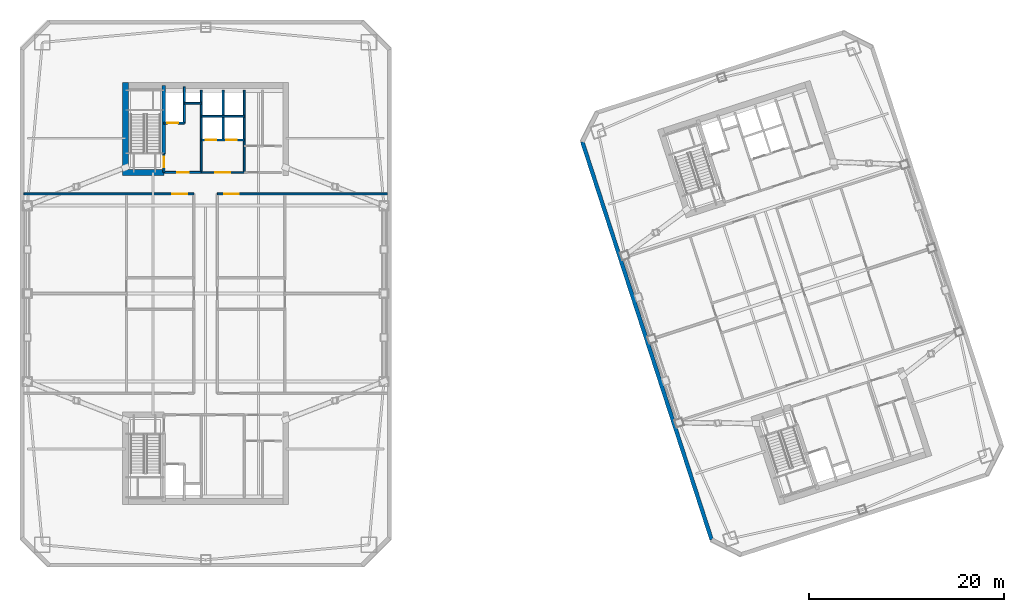
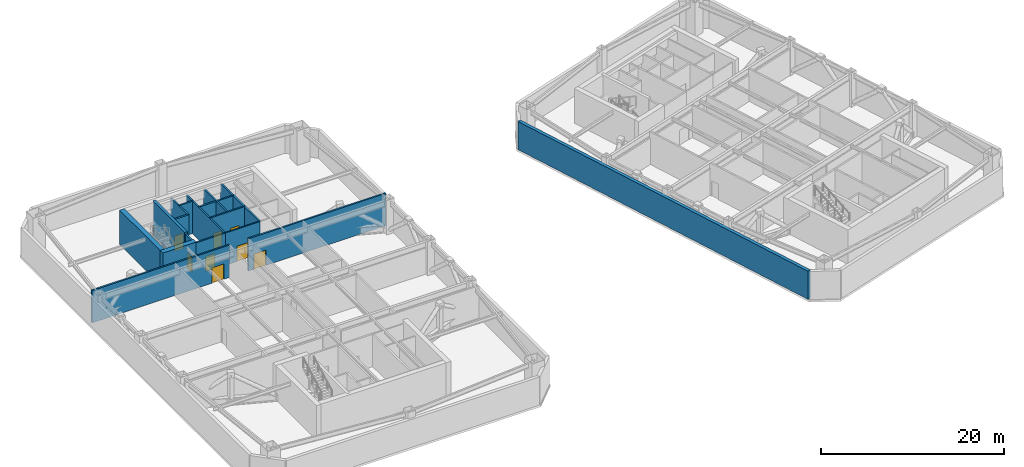
# One storey, part 8 of 14: 17 walls, 8 doors, 8 openings.
"""IFC4 building model written with IfcOpenShell, lengths in metres."""

from ifc_helpers import new_model, si_unit, direction, frame, frame_2d, origin, place, context, subcontext, project, spatial, rectangle, extrude, material, layer, layer_set, type_object, element, fill, save


model = new_model("IFC4")

# Units and contexts
model_context = context("Model", 3, precision=1e-05, world=origin(), true_north=direction((0.0, 1.0)))
body_context = subcontext(model_context, "Body", "Model", "MODEL_VIEW")
ifc_project = project(units=[si_unit("LENGTHUNIT", "METRE"), si_unit("AREAUNIT", "SQUARE_METRE"), si_unit("VOLUMEUNIT", "CUBIC_METRE"), si_unit("PLANEANGLEUNIT", "RADIAN"), si_unit("MASSUNIT", "GRAM", prefix="KILO")], contexts=[model_context])

# Site, building, storey
site_placement = place(None, origin())
site = spatial("IfcSite", under=ifc_project, at=site_placement, CompositionType="ELEMENT")
building_placement = place(site_placement, origin())
building = spatial("IfcBuilding", under=site, at=building_placement, Name="Qiaolan Cultural Towers", CompositionType="ELEMENT")
storey_placement = place(building_placement, frame((0.0, 0.0, 138.0)))
storey = spatial("IfcBuildingStorey", under=building, at=storey_placement, Name="L36", CompositionType="ELEMENT", Elevation=138.0)

# Walls
ifc_material_1 = material(Name="Concrete C50", Category="concrete")
ifc_layer_1 = layer(ifc_material_1, 0.35009765625)
ifc_layer_set_1 = layer_set([ifc_layer_1], Name="Concrete C50")
wall_type_1 = type_object("IfcWallType", Name="WL-CORE-350", PredefinedType="SHEAR", material=ifc_layer_set_1)
wall_1_placement = place(storey_placement, frame((25.719970703125, 48.300048828125, 0.0), z_axis=(0.0, 0.0, 1.0), x_axis=(0.0, 1.0, 0.0)))
element("IfcWall", 1, at=wall_1_placement, inside=storey, type_object=wall_type_1, Name="L36 T1-CN Stair Core Dividing Web", PredefinedType="SHEAR", context=body_context, shape_type="SweptSolid", body=[
    extrude(rectangle(XDim=6.97998046875, YDim=0.35009765625, at=frame_2d((3.489990234375, 0.0))), origin(), (0.0, 0.0, 1.0), 4.60009765625),
])
ifc_material_2 = material(Name="Concrete C55", Category="concrete")
ifc_layer_2 = layer(ifc_material_2, 0.60009765625)
ifc_layer_set_2 = layer_set([ifc_layer_2], Name="Concrete C55")
wall_type_2 = type_object("IfcWallType", Name="WL-CORE-600", PredefinedType="SHEAR", material=ifc_layer_set_2)
wall_2_placement = place(storey_placement, frame((21.800048828125, 46.10009765625, 0.0), z_axis=(0.0, 0.0, 1.0), x_axis=(0.0, 1.0, 0.0)))
element("IfcWall", 2, at=wall_2_placement, inside=storey, type_object=wall_type_2, Name="L36 T1-CN West Core Shear Wall", PredefinedType="SHEAR", context=body_context, shape_type="SweptSolid", body=[
    extrude(rectangle(XDim=9.47998046875, YDim=0.60009765625, at=frame_2d((4.739990234375, 0.0))), origin(), (0.0, 0.0, 1.0), 4.60009765625),
])
wall_3_placement = place(storey_placement, frame((21.5, 46.39990234375, 0.0), z_axis=(0.0, 0.0, 1.0), x_axis=(1.0, 0.0, 0.0)))
element("IfcWall", 3, at=wall_3_placement, inside=storey, type_object=wall_type_2, Name="L36 T1-CN Stair Front Shear Wall", PredefinedType="SHEAR", context=body_context, shape_type="SweptSolid", body=[
    extrude(rectangle(XDim=4.219970703125, YDim=0.60009765625, at=frame_2d((2.10986328125, 0.0))), origin(), (0.0, 0.0, 1.0), 4.60009765625),
])
ifc_material_3 = material(Name="Precast Concrete C50 Honed Stone Pier", Category="masonry")
ifc_layer_3 = layer(ifc_material_3, 0.39990234375)
ifc_layer_set_3 = layer_set([ifc_layer_3], Name="Precast Concrete C50 Honed Stone Pier")
wall_type_3 = type_object("IfcWallType", Name="WL-EXT-PIER-400", PredefinedType="SOLIDWALL", material=ifc_layer_set_3)
wall_4_placement = place(storey_placement, frame((81.7763671875, 8.82666015625, 0.0), z_axis=(0.0, 0.0, 1.0), x_axis=(-0.309014228706, 0.951057414911, 0.0)))
element("IfcWall", 4, at=wall_4_placement, inside=storey, type_object=wall_type_3, Name="L36 East Tower Precast Pier Facade Wall F1", PredefinedType="SOLIDWALL", context=body_context, shape_type="SweptSolid", body=[
    extrude(rectangle(XDim=42.800048828125, YDim=0.39990234375, at=frame_2d((21.39990234375, 0.0))), origin(), (0.0, 0.0, 1.0), 3.760009765625),
])

# Wall, opening, door
ifc_material_4 = material(Name="Concrete C35 Fire Wall", Category="concrete")
ifc_layer_4 = layer(ifc_material_4, 0.199951171875)
ifc_layer_set_4 = layer_set([ifc_layer_4], Name="Concrete C35 Fire Wall")
wall_type_4 = type_object("IfcWallType", Name="WL-FIRE-200", PredefinedType="PARTITIONING", material=ifc_layer_set_4)
wall_5_placement = place(storey_placement, frame((25.719970703125, 46.39990234375, 0.0), z_axis=(0.0, 0.0, 1.0), x_axis=(0.0, 1.0, 0.0)))
wall_5 = element("IfcWall", 5, at=wall_5_placement, inside=storey, type_object=wall_type_4, Name="L36 T1-CN Smokeproof Stair Entry Wall", PredefinedType="PARTITIONING", context=body_context, shape_type="SweptSolid", body=[
    extrude(rectangle(XDim=1.900146484375, YDim=0.199951171875, at=frame_2d((0.9501953125, 0.0))), origin(), (0.0, 0.0, 1.0), 4.324951171875),
])
opening_1_placement = place(wall_5_placement, frame((0.52001953125, 0.0, 0.0)))
opening_1 = element("IfcOpeningElement", 6, at=opening_1_placement, cuts=wall_5, Name="Opening FD-04", PredefinedType="OPENING", context=body_context, shape_type="SweptSolid", body=[
    extrude(rectangle(XDim=1.10009765625, YDim=2.050048828125, at=frame_2d((0.550048828125, 1.02490234375))), frame((0.0, 0.10986328125, 0.0), z_axis=(0.0, -1.0, 0.0), x_axis=(1.0, 0.0, 0.0)), (0.0, 0.0, 1.0), 0.219970703125),
])
ifc_material_5 = material(Name="Galvanized Steel Command Fire Door", Category="steel")
door_type_1 = type_object("IfcDoorType", Name="DR-FD90-1100", OperationType="NOTDEFINED", PredefinedType="DOOR", material=ifc_material_5)
door_1_placement = place(opening_1_placement, origin())
door_1 = element("IfcDoor", 7, at=door_1_placement, inside=storey, type_object=door_type_1, Name="L36 ST-W2 Smokeproof Stair Fire Door", OperationType="SINGLE_SWING_LEFT", OverallHeight=2.050048828125, OverallWidth=1.10009765625, PredefinedType="DOOR", context=body_context, shape_type="SweptSolid", body=[
    extrude(rectangle(XDim=1.10009765625, YDim=2.050048828125, at=frame_2d((0.550048828125, 1.02490234375))), frame((0.0, 0.02490234375, 0.0), z_axis=(0.0, -1.0, 0.0), x_axis=(1.0, 0.0, 0.0)), (0.0, 0.0, 1.0), 0.050048828125),
])
fill(opening_1, door_1)

# Wall
wall_6_placement = place(storey_placement, frame((29.550048828125, 46.39990234375, 0.0), z_axis=(0.0, 0.0, 1.0), x_axis=(0.0, 1.0, 0.0)))
element("IfcWall", 8, at=wall_6_placement, inside=storey, type_object=wall_type_4, Name="L36 T1-CN Firefighting Zone Wall", PredefinedType="PARTITIONING", context=body_context, shape_type="SweptSolid", body=[
    extrude(rectangle(XDim=8.43017578125, YDim=0.199951171875, at=frame_2d((4.215087890625, 0.0))), origin(), (0.0, 0.0, 1.0), 4.324951171875),
])

# Wall, opening, door
wall_7_placement = place(storey_placement, frame((25.719970703125, 46.39990234375, 0.0), z_axis=(0.0, 0.0, 1.0), x_axis=(1.0, 0.0, 0.0)))
wall_7 = element("IfcWall", 9, at=wall_7_placement, inside=storey, type_object=wall_type_4, Name="L36 T1-CN Firefighting Lobby Front Wall", PredefinedType="PARTITIONING", context=body_context, shape_type="SweptSolid", body=[
    extrude(rectangle(XDim=3.830078125, YDim=0.199951171875, at=frame_2d((1.9150390625, 0.0))), origin(), (0.0, 0.0, 1.0), 4.324951171875),
])
opening_2_placement = place(wall_7_placement, frame((1.35009765625, 0.0, 0.0)))
opening_2 = element("IfcOpeningElement", 10, at=opening_2_placement, cuts=wall_7, Name="Opening FD-03", PredefinedType="OPENING", context=body_context, shape_type="SweptSolid", body=[
    extrude(rectangle(XDim=1.199951171875, YDim=2.050048828125, at=frame_2d((0.60009765625, 1.02490234375))), frame((0.0, 0.10986328125, 0.0), z_axis=(0.0, -1.0, 0.0), x_axis=(1.0, 0.0, 0.0)), (0.0, 0.0, 1.0), 0.219970703125),
])
ifc_material_6 = material(Name="Galvanized Steel Smokeproof Lobby Fire Door", Category="steel")
door_type_2 = type_object("IfcDoorType", Name="DR-FD90-1200", OperationType="NOTDEFINED", PredefinedType="DOOR", material=ifc_material_6)
door_2_placement = place(opening_2_placement, origin())
door_2 = element("IfcDoor", 11, at=door_2_placement, inside=storey, type_object=door_type_2, Name="L36 FFL-W2 Firefighting Lobby Fire Door", OperationType="SINGLE_SWING_LEFT", OverallHeight=2.050048828125, OverallWidth=1.199951171875, PredefinedType="DOOR", context=body_context, shape_type="SweptSolid", body=[
    extrude(rectangle(XDim=1.199951171875, YDim=2.050048828125, at=frame_2d((0.60009765625, 1.02490234375))), frame((0.0, 0.02490234375, 0.0), z_axis=(0.0, -1.0, 0.0), x_axis=(1.0, 0.0, 0.0)), (0.0, 0.0, 1.0), 0.050048828125),
])
fill(opening_2, door_2)

wall_8_placement = place(storey_placement, frame((25.719970703125, 51.449951171875, 0.0), z_axis=(0.0, 0.0, 1.0), x_axis=(1.0, 0.0, 0.0)))
wall_8 = element("IfcWall", 12, at=wall_8_placement, inside=storey, type_object=wall_type_4, Name="L36 T1-CN Firefighting Shaft Front Wall", PredefinedType="PARTITIONING", context=body_context, shape_type="SweptSolid", body=[
    extrude(rectangle(XDim=2.10009765625, YDim=0.199951171875, at=frame_2d((1.050048828125, 0.0))), origin(), (0.0, 0.0, 1.0), 4.324951171875),
])
opening_3_placement = place(wall_8_placement, frame((0.35009765625, 0.0, 0.0)))
opening_3 = element("IfcOpeningElement", 13, at=opening_3_placement, cuts=wall_8, Name="Opening LD-01", PredefinedType="OPENING", context=body_context, shape_type="SweptSolid", body=[
    extrude(rectangle(XDim=1.10009765625, YDim=2.050048828125, at=frame_2d((0.550048828125, 1.02490234375))), frame((0.0, 0.10986328125, 0.0), z_axis=(0.0, -1.0, 0.0), x_axis=(1.0, 0.0, 0.0)), (0.0, 0.0, 1.0), 0.219970703125),
])
ifc_material_7 = material(Name="Brushed Stainless Steel S30408 Centre-Parting Lift Landing Door", Category="steel")
door_type_3 = type_object("IfcDoorType", Name="DR-LIFT-1100", OperationType="NOTDEFINED", PredefinedType="DOOR", material=ifc_material_7)
door_3_placement = place(opening_3_placement, origin())
door_3 = element("IfcDoor", 14, at=door_3_placement, inside=storey, type_object=door_type_3, Name="L36 FFL-W2 Firefighting Lift Landing Door", OperationType="DOUBLE_DOOR_SLIDING", OverallHeight=2.050048828125, OverallWidth=1.10009765625, PredefinedType="DOOR", context=body_context, shape_type="SweptSolid", body=[
    extrude(rectangle(XDim=1.10009765625, YDim=2.050048828125, at=frame_2d((0.550048828125, 1.02490234375))), frame((0.0, 0.02490234375, 0.0), z_axis=(0.0, -1.0, 0.0), x_axis=(1.0, 0.0, 0.0)), (0.0, 0.0, 1.0), 0.050048828125),
])
fill(opening_3, door_3)

# Walls
wall_9_placement = place(storey_placement, frame((27.820068359375, 51.449951171875, 0.0), z_axis=(0.0, 0.0, 1.0), x_axis=(0.0, 1.0, 0.0)))
element("IfcWall", 15, at=wall_9_placement, inside=storey, type_object=wall_type_4, Name="L36 T1-CN Firefighting Hoistway East Wall", PredefinedType="PARTITIONING", context=body_context, shape_type="SweptSolid", body=[
    extrude(rectangle(XDim=3.699951171875, YDim=0.199951171875, at=frame_2d((1.85009765625, 0.0))), origin(), (0.0, 0.0, 1.0), 4.324951171875),
])
wall_10_placement = place(storey_placement, frame((27.820068359375, 53.47998046875, 0.0), z_axis=(0.0, 0.0, 1.0), x_axis=(1.0, 0.0, 0.0)))
element("IfcWall", 16, at=wall_10_placement, inside=storey, type_object=wall_type_4, Name="L36 T1-CN Pressurization Shaft Front Wall", PredefinedType="PARTITIONING", context=body_context, shape_type="SweptSolid", body=[
    extrude(rectangle(XDim=1.72998046875, YDim=0.199951171875, at=frame_2d((0.864990234375, 0.0))), origin(), (0.0, 0.0, 1.0), 4.324951171875),
])
wall_11_placement = place(storey_placement, frame((33.949951171875, 46.39990234375, 0.0), z_axis=(0.0, 0.0, 1.0), x_axis=(0.0, 1.0, 0.0)))
element("IfcWall", 17, at=wall_11_placement, inside=storey, type_object=wall_type_4, Name="L36 T1-CN Lift Core East Wall", PredefinedType="PARTITIONING", context=body_context, shape_type="SweptSolid", body=[
    extrude(rectangle(XDim=8.43017578125, YDim=0.199951171875, at=frame_2d((4.215087890625, 0.0))), origin(), (0.0, 0.0, 1.0), 4.324951171875),
])

# Wall, openings, doors
wall_12_placement = place(storey_placement, frame((29.550048828125, 49.719970703125, 0.0), z_axis=(0.0, 0.0, 1.0), x_axis=(1.0, 0.0, 0.0)))
wall_12 = element("IfcWall", 18, at=wall_12_placement, inside=storey, type_object=wall_type_4, Name="L36 T1-CN Passenger Lift Shaft Front Wall", PredefinedType="PARTITIONING", context=body_context, shape_type="SweptSolid", body=[
    extrude(rectangle(XDim=4.39990234375, YDim=0.199951171875, at=frame_2d((2.199951171875, 0.0))), origin(), (0.0, 0.0, 1.0), 4.324951171875),
])
opening_4_placement = place(wall_12_placement, frame((0.449951171875, 0.0, 0.0)))
opening_4 = element("IfcOpeningElement", 19, at=opening_4_placement, cuts=wall_12, Name="Opening LD-01", PredefinedType="OPENING", context=body_context, shape_type="SweptSolid", body=[
    extrude(rectangle(XDim=1.10009765625, YDim=2.050048828125, at=frame_2d((0.550048828125, 1.02490234375))), frame((0.0, 0.10986328125, 0.0), z_axis=(0.0, -1.0, 0.0), x_axis=(1.0, 0.0, 0.0)), (0.0, 0.0, 1.0), 0.219970703125),
])
opening_5_placement = place(wall_12_placement, frame((2.550048828125, 0.0, 0.0)))
opening_5 = element("IfcOpeningElement", 20, at=opening_5_placement, cuts=wall_12, Name="Opening LD-01", PredefinedType="OPENING", context=body_context, shape_type="SweptSolid", body=[
    extrude(rectangle(XDim=1.10009765625, YDim=2.050048828125, at=frame_2d((0.550048828125, 1.02490234375))), frame((0.0, 0.10986328125, 0.0), z_axis=(0.0, -1.0, 0.0), x_axis=(1.0, 0.0, 0.0)), (0.0, 0.0, 1.0), 0.219970703125),
])
door_4_placement = place(opening_4_placement, origin())
door_4 = element("IfcDoor", 21, at=door_4_placement, inside=storey, type_object=door_type_3, Name="L36 Passenger Lift 1 Landing Door", OperationType="DOUBLE_DOOR_SLIDING", OverallHeight=2.050048828125, OverallWidth=1.10009765625, PredefinedType="DOOR", context=body_context, shape_type="SweptSolid", body=[
    extrude(rectangle(XDim=1.10009765625, YDim=2.050048828125, at=frame_2d((0.550048828125, 1.02490234375))), frame((0.0, 0.02490234375, 0.0), z_axis=(0.0, -1.0, 0.0), x_axis=(1.0, 0.0, 0.0)), (0.0, 0.0, 1.0), 0.050048828125),
])
fill(opening_4, door_4)
door_5_placement = place(opening_5_placement, origin())
door_5 = element("IfcDoor", 22, at=door_5_placement, inside=storey, type_object=door_type_3, Name="L36 Passenger Lift 2 Landing Door", OperationType="DOUBLE_DOOR_SLIDING", OverallHeight=2.050048828125, OverallWidth=1.10009765625, PredefinedType="DOOR", context=body_context, shape_type="SweptSolid", body=[
    extrude(rectangle(XDim=1.10009765625, YDim=2.050048828125, at=frame_2d((0.550048828125, 1.02490234375))), frame((0.0, 0.02490234375, 0.0), z_axis=(0.0, -1.0, 0.0), x_axis=(1.0, 0.0, 0.0)), (0.0, 0.0, 1.0), 0.050048828125),
])
fill(opening_5, door_5)

# Walls
wall_13_placement = place(storey_placement, frame((31.780029296875, 49.719970703125, 0.0), z_axis=(0.0, 0.0, 1.0), x_axis=(0.0, 1.0, 0.0)))
element("IfcWall", 23, at=wall_13_placement, inside=storey, type_object=wall_type_4, Name="L36 T1-CN Lift Shaft Divider Wall", PredefinedType="PARTITIONING", context=body_context, shape_type="SweptSolid", body=[
    extrude(rectangle(XDim=5.110107421875, YDim=0.199951171875, at=frame_2d((2.55517578125, 0.0))), origin(), (0.0, 0.0, 1.0), 4.324951171875),
])
wall_14_placement = place(storey_placement, frame((29.550048828125, 52.14990234375, 0.0), z_axis=(0.0, 0.0, 1.0), x_axis=(1.0, 0.0, 0.0)))
element("IfcWall", 24, at=wall_14_placement, inside=storey, type_object=wall_type_4, Name="L36 T1-CN Passenger Lift Shaft Back Wall", PredefinedType="PARTITIONING", context=body_context, shape_type="SweptSolid", body=[
    extrude(rectangle(XDim=4.39990234375, YDim=0.199951171875, at=frame_2d((2.199951171875, 0.0))), origin(), (0.0, 0.0, 1.0), 4.324951171875),
])

# Wall, opening, door
wall_15_placement = place(storey_placement, frame((11.39990234375, 44.199951171875, 0.0), z_axis=(0.0, 0.0, 1.0), x_axis=(1.0, 0.0, 0.0)))
wall_15 = element("IfcWall", 25, at=wall_15_placement, inside=storey, type_object=wall_type_4, Name="L36 T1 Fire Rated Plant/Refuge Wall NBW", PredefinedType="PARTITIONING", context=body_context, shape_type="SweptSolid", body=[
    extrude(rectangle(XDim=17.400146484375, YDim=0.199951171875, at=frame_2d((8.7001953125, 0.0))), origin(), (0.0, 0.0, 1.0), 4.324951171875),
])
opening_6_placement = place(wall_15_placement, frame((15.199951171875, 0.0, 0.0)))
opening_6 = element("IfcOpeningElement", 26, at=opening_6_placement, cuts=wall_15, Name="Opening FD-02", PredefinedType="OPENING", context=body_context, shape_type="SweptSolid", body=[
    extrude(rectangle(XDim=1.5, YDim=2.050048828125, at=frame_2d((0.75, 1.02490234375))), frame((0.0, 0.10986328125, 0.0), z_axis=(0.0, -1.0, 0.0), x_axis=(1.0, 0.0, 0.0)), (0.0, 0.0, 1.0), 0.219970703125),
])
ifc_material_8 = material(Name="Galvanized Steel Double Fire Door", Category="steel")
door_type_4 = type_object("IfcDoorType", Name="DR-FD90-1500", OperationType="NOTDEFINED", PredefinedType="DOOR", material=ifc_material_8)
door_6_placement = place(opening_6_placement, origin())
door_6 = element("IfcDoor", 27, at=door_6_placement, inside=storey, type_object=door_type_4, Name="L36 T1 West North Refuge Fire Door", OperationType="SINGLE_SWING_LEFT", OverallHeight=2.050048828125, OverallWidth=1.5, PredefinedType="DOOR", context=body_context, shape_type="SweptSolid", body=[
    extrude(rectangle(XDim=1.5, YDim=2.050048828125, at=frame_2d((0.75, 1.02490234375))), frame((0.0, 0.02490234375, 0.0), z_axis=(0.0, -1.0, 0.0), x_axis=(1.0, 0.0, 0.0)), (0.0, 0.0, 1.0), 0.050048828125),
])
fill(opening_6, door_6)

wall_16_placement = place(storey_placement, frame((31.199951171875, 44.199951171875, 0.0), z_axis=(0.0, 0.0, 1.0), x_axis=(1.0, 0.0, 0.0)))
wall_16 = element("IfcWall", 28, at=wall_16_placement, inside=storey, type_object=wall_type_4, Name="L36 T1 Fire Rated Plant/Refuge Wall NBE", PredefinedType="PARTITIONING", context=body_context, shape_type="SweptSolid", body=[
    extrude(rectangle(XDim=17.400146484375, YDim=0.199951171875, at=frame_2d((8.7001953125, 0.0))), origin(), (0.0, 0.0, 1.0), 4.324951171875),
])
opening_7_placement = place(wall_16_placement, frame((0.699951171875, 0.0, 0.0)))
opening_7 = element("IfcOpeningElement", 29, at=opening_7_placement, cuts=wall_16, Name="Opening FD-02", PredefinedType="OPENING", context=body_context, shape_type="SweptSolid", body=[
    extrude(rectangle(XDim=1.5, YDim=2.050048828125, at=frame_2d((0.75, 1.02490234375))), frame((0.0, 0.10986328125, 0.0), z_axis=(0.0, -1.0, 0.0), x_axis=(1.0, 0.0, 0.0)), (0.0, 0.0, 1.0), 0.219970703125),
])
door_7_placement = place(opening_7_placement, origin())
door_7 = element("IfcDoor", 30, at=door_7_placement, inside=storey, type_object=door_type_4, Name="L36 T1 East North Refuge Fire Door", OperationType="SINGLE_SWING_RIGHT", OverallHeight=2.050048828125, OverallWidth=1.5, PredefinedType="DOOR", context=body_context, shape_type="SweptSolid", body=[
    extrude(rectangle(XDim=1.5, YDim=2.050048828125, at=frame_2d((0.75, 1.02490234375))), frame((0.0, 0.02490234375, 0.0), z_axis=(0.0, -1.0, 0.0), x_axis=(1.0, 0.0, 0.0)), (0.0, 0.0, 1.0), 0.050048828125),
])
fill(opening_7, door_7)

ifc_material_9 = material(Name="Autoclaved Aerated Concrete Block B06", Category="concrete")
ifc_layer_5 = layer(ifc_material_9, 0.14990234375)
ifc_layer_set_5 = layer_set([ifc_layer_5], Name="Autoclaved Aerated Concrete Block B06")
wall_type_5 = type_object("IfcWallType", Name="WL-PART-150", PredefinedType="PARTITIONING", material=ifc_layer_set_5)
wall_17_placement = place(storey_placement, frame((29.550048828125, 46.39990234375, 0.0), z_axis=(0.0, 0.0, 1.0), x_axis=(1.0, 0.0, 0.0)))
wall_17 = element("IfcWall", 31, at=wall_17_placement, inside=storey, type_object=wall_type_5, Name="L36 T1-CN Passenger Lift Lobby Front Wall", PredefinedType="PARTITIONING", context=body_context, shape_type="SweptSolid", body=[
    extrude(rectangle(XDim=4.39990234375, YDim=0.14990234375, at=frame_2d((2.199951171875, 0.0))), origin(), (0.0, 0.0, 1.0), 4.324951171875),
])
opening_8_placement = place(wall_17_placement, frame((1.449951171875, 0.0, 0.0)))
opening_8 = element("IfcOpeningElement", 32, at=opening_8_placement, cuts=wall_17, Name="Opening FD-05", PredefinedType="OPENING", context=body_context, shape_type="SweptSolid", body=[
    extrude(rectangle(XDim=1.5, YDim=2.050048828125, at=frame_2d((0.75, 1.02490234375))), frame((0.0, 0.0849609375, 0.0), z_axis=(0.0, -1.0, 0.0), x_axis=(1.0, 0.0, 0.0)), (0.0, 0.0, 1.0), 0.169921875),
])
ifc_material_10 = material(Name="Painted Steel Lift Lobby Fire Door", Category="steel")
door_type_5 = type_object("IfcDoorType", Name="DR-FD60-1500", OperationType="NOTDEFINED", PredefinedType="DOOR", material=ifc_material_10)
door_8_placement = place(opening_8_placement, origin())
door_8 = element("IfcDoor", 33, at=door_8_placement, inside=storey, type_object=door_type_5, Name="L36 Passenger Lift Lobby Entrance", OperationType="SINGLE_SWING_LEFT", OverallHeight=2.050048828125, OverallWidth=1.5, PredefinedType="DOOR", context=body_context, shape_type="SweptSolid", body=[
    extrude(rectangle(XDim=1.5, YDim=2.050048828125, at=frame_2d((0.75, 1.02490234375))), frame((0.0, 0.02490234375, 0.0), z_axis=(0.0, -1.0, 0.0), x_axis=(1.0, 0.0, 0.0)), (0.0, 0.0, 1.0), 0.050048828125),
])
fill(opening_8, door_8)

save(model, "model.ifc")
